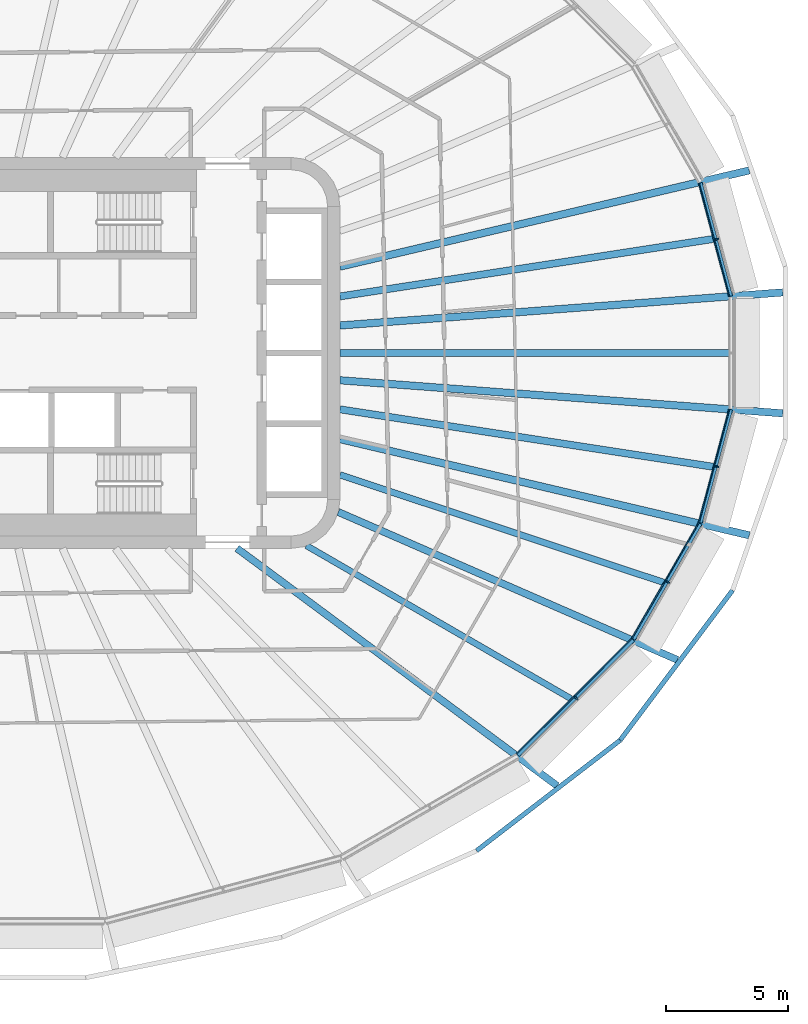
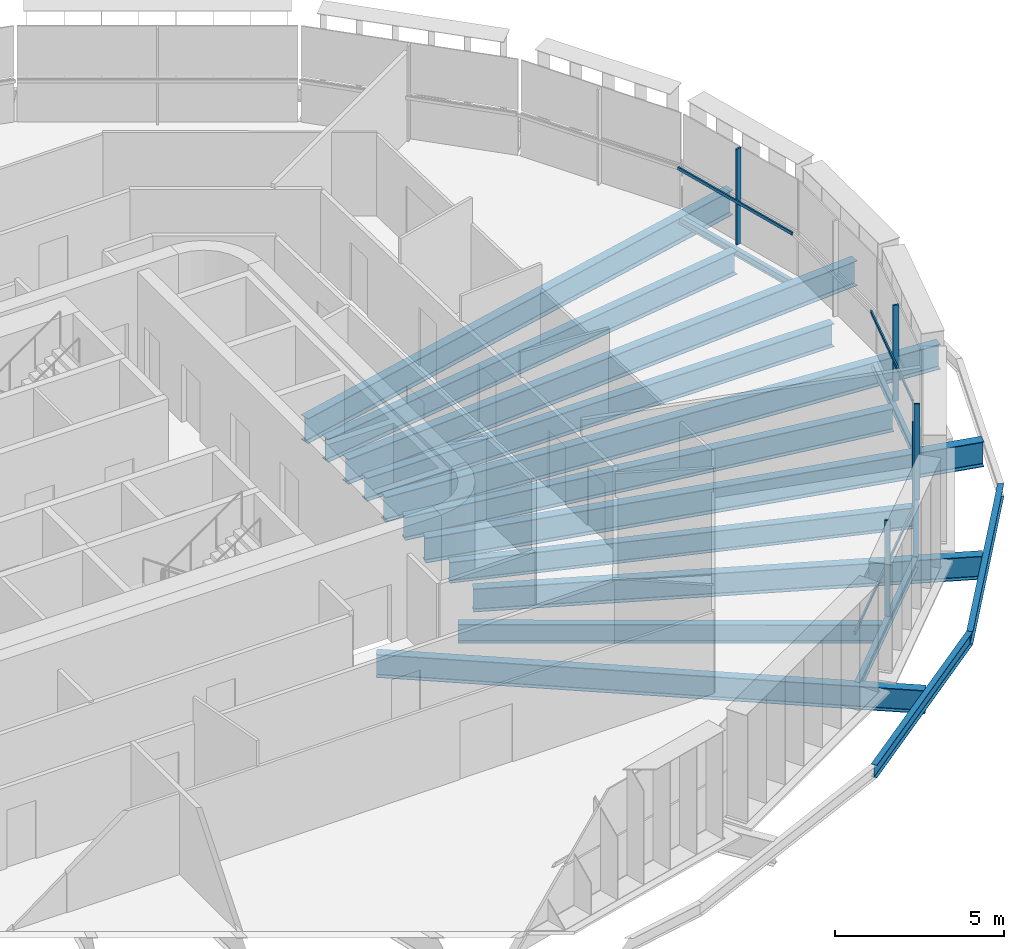
# One storey, part 4 of 23: 17 beams, 8 members, 4 elements without a shape of their own.
"""IFC4 building model written with IfcOpenShell, lengths in metres."""

from ifc_helpers import new_model, si_unit, direction, frame, origin, origin_2d, place, context, subcontext, project, spatial, rectangle, i_section, extrude, material, layer, layer_set, material_profile, profile_set, type_object, element, aggregate, save


model = new_model("IFC4")

# Units and contexts
model_context = context("Model", 3, precision=1e-05, world=origin(), true_north=direction((0.0, 1.0)))
body_context = subcontext(model_context, "Body", "Model", "MODEL_VIEW")
ifc_project = project(units=[si_unit("LENGTHUNIT", "METRE"), si_unit("AREAUNIT", "SQUARE_METRE"), si_unit("VOLUMEUNIT", "CUBIC_METRE"), si_unit("PLANEANGLEUNIT", "RADIAN"), si_unit("MASSUNIT", "GRAM", prefix="KILO")], contexts=[model_context])

# Site, building, storey
site_placement = place(None, origin())
site = spatial("IfcSite", under=ifc_project, at=site_placement, CompositionType="ELEMENT")
building_placement = place(site_placement, origin())
building = spatial("IfcBuilding", under=site, at=building_placement, Name="Sahrelin Media Tower", CompositionType="ELEMENT")
storey_placement = place(building_placement, frame((0.0, 0.0, 173.60009765625)))
storey = spatial("IfcBuildingStorey", under=building, at=storey_placement, Name="L36", CompositionType="ELEMENT", Elevation=173.60009765625)

# Beams
ifc_material_1 = material(Name="Steel S355", Category="steel")
ifc_material_profile_1 = material_profile(ifc_material_1, i_section(OverallWidth=0.14599609375, OverallDepth=0.25146484375, WebThickness=0.006103515625, FlangeThickness=0.008544921875, FilletRadius=0.007568359375, at=origin_2d()), Name="UB 254x146x31")
ifc_profile_set_1 = profile_set([ifc_material_profile_1], Name="Steel S355")
beam_type_1 = type_object("IfcBeamType", Name="Edge beam EB1", PredefinedType="BEAM", material=ifc_profile_set_1)
for number, where, z_axis, x_axis, name in (
    (1, (30.9951171875, -2.3212890625, -0.27587890625), (-0.258792876481, -0.96593283777, 0.0), (0.96593283777, -0.258792876481, 0.0), "Edge beam L36-02"),
    (2, (29.753173828125, 6.956787109375, -0.27587890625), (0.258792876481, -0.96593283777, 0.0), (0.96593283777, 0.258792876481, 0.0), "Edge beam L36-20"),
):
    element("IfcBeam", number, at=place(storey_placement, frame(where, z_axis=z_axis, x_axis=x_axis)), inside=storey, type_object=beam_type_1, Name=name, PredefinedType="BEAM", context=body_context, shape_type="SweptSolid", body=[
        extrude(i_section(OverallWidth=0.14599609375, OverallDepth=0.25146484375, WebThickness=0.006103515625, FlangeThickness=0.008544921875, FilletRadius=0.007568359375, at=origin_2d()), origin(), (0.0, 0.0, 1.0), 4.799072265625),
    ])
ifc_material_profile_2 = material_profile(ifc_material_1, i_section(OverallWidth=0.1650390625, OverallDepth=0.303466796875, WebThickness=0.006103515625, FlangeThickness=0.01025390625, FilletRadius=0.0087890625, at=origin_2d()), Name="UB 305x165x40")
ifc_profile_set_2 = profile_set([ifc_material_profile_2], Name="Steel S355")
beam_type_2 = type_object("IfcBeamType", Name="Edge beam EB2", PredefinedType="BEAM", material=ifc_profile_set_2)
beam_1_placement = place(storey_placement, frame((29.7421875, -6.9833984375, -0.3017578125), z_axis=(-0.500022519152, -0.866012401956, 0.0), x_axis=(0.866012401956, -0.500022519152, 0.0)))
element("IfcBeam", 3, at=beam_1_placement, inside=storey, type_object=beam_type_2, Name="Edge beam L36-03", PredefinedType="BEAM", context=body_context, shape_type="SweptSolid", body=[
    extrude(i_section(OverallWidth=0.1650390625, OverallDepth=0.303466796875, WebThickness=0.006103515625, FlangeThickness=0.01025390625, FilletRadius=0.0087890625, at=origin_2d()), origin(), (0.0, 0.0, 1.0), 5.469970703125),
])
ifc_material_profile_3 = material_profile(ifc_material_1, i_section(OverallWidth=0.17138671875, OverallDepth=0.35498046875, WebThickness=0.00732421875, FlangeThickness=0.011474609375, FilletRadius=0.01025390625, at=origin_2d()), Name="UB 356x171x51")
ifc_profile_set_3 = profile_set([ifc_material_profile_3], Name="Steel S355")
beam_type_3 = type_object("IfcBeamType", Name="Edge beam EB3", PredefinedType="BEAM", material=ifc_profile_set_3)
beam_2_placement = place(storey_placement, frame((26.989501953125, -11.743408203125, -0.32763671875), z_axis=(-0.707106781187, -0.707106781187, 0.0), x_axis=(0.707106781187, -0.707106781187, 0.0)))
element("IfcBeam", 4, at=beam_2_placement, inside=storey, type_object=beam_type_3, Name="Edge beam L36-04", PredefinedType="BEAM", context=body_context, shape_type="SweptSolid", body=[
    extrude(i_section(OverallWidth=0.17138671875, OverallDepth=0.35498046875, WebThickness=0.00732421875, FlangeThickness=0.011474609375, FilletRadius=0.01025390625, at=origin_2d()), origin(), (0.0, 0.0, 1.0), 6.659912109375),
])

# Curtain wall, member
ifc_material_2 = material(Name="Champagne anodised aluminium 6063-T6", Category="aluminium")
ifc_layer = layer(ifc_material_2, 0.14990234375)
ifc_layer_set = layer_set([ifc_layer], Name="Tower ribbon curtain wall")
curtain_wall_type = type_object("IfcCurtainWallType", Name="Tower ribbon curtain wall", PredefinedType="NOTDEFINED", material=ifc_layer_set)
curtain_wall_1_placement = place(storey_placement, frame((30.51904296875, 4.677978515625, 0.0), z_axis=(0.0, 0.0, 1.0), x_axis=(1.0, 0.0, 0.0)))
curtain_wall_1 = element("IfcCurtainWall", 5, at=curtain_wall_1_placement, inside=storey, type_object=curtain_wall_type, Name="L36:CW:L36-01", PredefinedType="NOTDEFINED")
ifc_material_profile_4 = material_profile(ifc_material_2, rectangle(XDim=0.06005859375, YDim=0.175048828125, at=origin_2d()), Name="Mullion 60x175")
ifc_profile_set_4 = profile_set([ifc_material_profile_4], Name="Champagne anodised aluminium 6063-T6")
member_type_1 = type_object("IfcMemberType", Name="Mullion 60x175 CW1B", PredefinedType="MULLION", material=ifc_profile_set_4)
member_1_placement = place(storey_placement, frame((30.415283203125, 4.650146484375, 0.0), z_axis=(0.0, 0.0, 1.0), x_axis=(-0.258820730961, 0.965925374563, 0.0)))
member_1 = element("IfcMember", 6, at=member_1_placement, type_object=member_type_1, Name="L36:CWM:L36-01", PredefinedType="MULLION", context=body_context, shape_type="SweptSolid", body=[
    extrude(rectangle(XDim=0.06005859375, YDim=0.175048828125, at=origin_2d()), origin(), (0.0, 0.0, 1.0), 3.448486328125),
])

curtain_wall_2_placement = place(storey_placement, frame((24.740966796875, -14.2041015625, 0.0), z_axis=(0.0, 0.0, 1.0), x_axis=(1.0, 0.0, 0.0)))
curtain_wall_2 = element("IfcCurtainWall", 7, at=curtain_wall_2_placement, inside=storey, type_object=curtain_wall_type, Name="L36:CW:L36-21", PredefinedType="NOTDEFINED")
member_2_placement = place(storey_placement, frame((24.6650390625, -14.1279296875, 0.0), z_axis=(0.0, 0.0, 1.0), x_axis=(0.707106781187, 0.707106781187, 0.0)))
member_2 = element("IfcMember", 8, at=member_2_placement, type_object=member_type_1, Name="L36:CWM:L36-21", PredefinedType="MULLION", context=body_context, shape_type="SweptSolid", body=[
    extrude(rectangle(XDim=0.06005859375, YDim=0.175048828125, at=origin_2d()), origin(), (0.0, 0.0, 1.0), 3.448486328125),
])

curtain_wall_3_placement = place(storey_placement, frame((28.50439453125, -9.427001953125, 0.0), z_axis=(0.0, 0.0, 1.0), x_axis=(1.0, 0.0, 0.0)))
curtain_wall_3 = element("IfcCurtainWall", 9, at=curtain_wall_3_placement, inside=storey, type_object=curtain_wall_type, Name="L36:CW:L36-22", PredefinedType="NOTDEFINED")
member_3_placement = place(storey_placement, frame((28.411376953125, -9.373291015625, 0.0), z_axis=(0.0, 0.0, 1.0), x_axis=(0.5, 0.866025403784, 0.0)))
member_3 = element("IfcMember", 10, at=member_3_placement, type_object=member_type_1, Name="L36:CWM:L36-22", PredefinedType="MULLION", context=body_context, shape_type="SweptSolid", body=[
    extrude(rectangle(XDim=0.06005859375, YDim=0.175048828125, at=origin_2d()), origin(), (0.0, 0.0, 1.0), 3.448486328125),
])

curtain_wall_4_placement = place(storey_placement, frame((30.51904296875, -4.677978515625, 0.0), z_axis=(0.0, 0.0, 1.0), x_axis=(1.0, 0.0, 0.0)))
curtain_wall_4 = element("IfcCurtainWall", 11, at=curtain_wall_4_placement, inside=storey, type_object=curtain_wall_type, Name="L36:CW:L36-23", PredefinedType="NOTDEFINED")
member_4_placement = place(storey_placement, frame((30.415283203125, -4.650146484375, 0.0), z_axis=(0.0, 0.0, 1.0), x_axis=(0.258820730961, 0.965925374563, 0.0)))
member_4 = element("IfcMember", 12, at=member_4_placement, type_object=member_type_1, Name="L36:CWM:L36-23", PredefinedType="MULLION", context=body_context, shape_type="SweptSolid", body=[
    extrude(rectangle(XDim=0.06005859375, YDim=0.175048828125, at=origin_2d()), origin(), (0.0, 0.0, 1.0), 3.448486328125),
])

# Beams
ifc_material_profile_5 = material_profile(ifc_material_1, i_section(OverallWidth=0.291748046875, OverallDepth=0.8349609375, WebThickness=0.013916015625, FlangeThickness=0.018798828125, FilletRadius=0.017822265625, at=origin_2d()), Name="UB 838x292x176")
ifc_profile_set_5 = profile_set([ifc_material_profile_5], Name="Steel S355")
beam_type_4 = type_object("IfcBeamType", Name="Radial primary beam PB10", PredefinedType="BEAM", material=ifc_profile_set_5)
beam_3_placement = place(storey_placement, frame((10.7880859375, -8.0, -0.567626953125), z_axis=(0.803237803341, -0.595658485446, 0.0), x_axis=(0.595658485446, 0.803237803341, 0.0)))
element("IfcBeam", 13, at=beam_3_placement, inside=storey, type_object=beam_type_4, Name="Radial beam L36-21", PredefinedType="BEAM", context=body_context, shape_type="SweptSolid", body=[
    extrude(i_section(OverallWidth=0.291748046875, OverallDepth=0.8349609375, WebThickness=0.013916015625, FlangeThickness=0.018798828125, FilletRadius=0.017822265625, at=origin_2d()), origin(), (0.0, 0.0, 1.0), 16.309326171875),
])
beam_4_placement = place(storey_placement, frame((14.932861328125, -6.510986328125, -0.567626953125), z_axis=(0.916643258443, -0.399706313124, 0.0), x_axis=(0.399706313124, 0.916643258443, 0.0)))
element("IfcBeam", 14, at=beam_4_placement, inside=storey, type_object=beam_type_4, Name="Radial beam L36-22", PredefinedType="BEAM", context=body_context, shape_type="SweptSolid", body=[
    extrude(i_section(OverallWidth=0.291748046875, OverallDepth=0.8349609375, WebThickness=0.013916015625, FlangeThickness=0.018798828125, FilletRadius=0.017822265625, at=origin_2d()), origin(), (0.0, 0.0, 1.0), 15.142333984375),
])
ifc_material_profile_6 = material_profile(ifc_material_1, i_section(OverallWidth=0.30322265625, OverallDepth=0.903076171875, WebThickness=0.01513671875, FlangeThickness=0.020263671875, FilletRadius=0.01904296875, at=origin_2d()), Name="UB 914x305x201")
ifc_profile_set_6 = profile_set([ifc_material_profile_6], Name="Steel S355")
beam_type_5 = type_object("IfcBeamType", Name="Radial primary beam PB11", PredefinedType="BEAM", material=ifc_profile_set_6)
beam_5_placement = place(storey_placement, frame((15.0, 1.12060546875, -0.6015625), z_axis=(0.997220411317, 0.074508061664, 0.0), x_axis=(-0.074508061664, 0.997220411317, 0.0)))
element("IfcBeam", 15, at=beam_5_placement, inside=storey, type_object=beam_type_5, Name="Radial beam L36-01", PredefinedType="BEAM", context=body_context, shape_type="SweptSolid", body=[
    extrude(i_section(OverallWidth=0.30322265625, OverallDepth=0.903076171875, WebThickness=0.01513671875, FlangeThickness=0.020263671875, FilletRadius=0.01904296875, at=origin_2d()), origin(), (0.0, 0.0, 1.0), 18.172607421875),
])
for number, where, z_axis, x_axis, name in (
    (16, (15.0, 3.52734375, -0.6015625), (0.973446560377, 0.22891438157, 0.0), (-0.22891438157, 0.973446560377, 0.0), "Radial beam L36-02"),
    (17, (15.0, -3.52734375, -0.6015625), (0.973446560377, -0.22891438157, 0.0), (0.22891438157, 0.973446560377, 0.0), "Radial beam L36-23"),
):
    element("IfcBeam", number, at=place(storey_placement, frame(where, z_axis=z_axis, x_axis=x_axis)), inside=storey, type_object=beam_type_5, Name=name, PredefinedType="BEAM", context=body_context, shape_type="SweptSolid", body=[
        extrude(i_section(OverallWidth=0.30322265625, OverallDepth=0.903076171875, WebThickness=0.01513671875, FlangeThickness=0.020263671875, FilletRadius=0.01904296875, at=origin_2d()), origin(), (0.0, 0.0, 1.0), 17.20703125),
    ])
beam_6_placement = place(storey_placement, frame((15.0, -1.12060546875, -0.6015625), z_axis=(0.997220411317, -0.074508061664, 0.0), x_axis=(0.074508061664, 0.997220411317, 0.0)))
element("IfcBeam", 18, at=beam_6_placement, inside=storey, type_object=beam_type_5, Name="Radial beam L36-24", PredefinedType="BEAM", context=body_context, shape_type="SweptSolid", body=[
    extrude(i_section(OverallWidth=0.30322265625, OverallDepth=0.903076171875, WebThickness=0.01513671875, FlangeThickness=0.020263671875, FilletRadius=0.01904296875, at=origin_2d()), origin(), (0.0, 0.0, 1.0), 18.172607421875),
])
ifc_material_profile_7 = material_profile(ifc_material_1, i_section(OverallWidth=0.291748046875, OverallDepth=0.8349609375, WebThickness=0.013916015625, FlangeThickness=0.018798828125, FilletRadius=0.017822265625, at=origin_2d()), Name="UB 838x292x176")
ifc_profile_set_7 = profile_set([ifc_material_profile_7], Name="Steel S355")
beam_type_6 = type_object("IfcBeamType", Name="Radial secondary beam SB10", PredefinedType="BEAM", material=ifc_profile_set_7)
for number, where, z_axis, x_axis, name in (
    (19, (15.0, 2.3095703125, -0.567626953125), (0.988355456355, 0.152162715185, 0.0), (-0.152162715185, 0.988355456355, 0.0), "Secondary beam L36-01"),
    (20, (15.0, -2.3095703125, -0.567626953125), (0.988355456355, -0.152162715185, 0.0), (0.152162715185, 0.988355456355, 0.0), "Secondary beam L36-19"),
):
    element("IfcBeam", number, at=place(storey_placement, frame(where, z_axis=z_axis, x_axis=x_axis)), inside=storey, type_object=beam_type_6, Name=name, PredefinedType="BEAM", context=body_context, shape_type="SweptSolid", body=[
        extrude(i_section(OverallWidth=0.291748046875, OverallDepth=0.8349609375, WebThickness=0.013916015625, FlangeThickness=0.018798828125, FilletRadius=0.017822265625, at=origin_2d()), origin(), (0.0, 0.0, 1.0), 15.471923828125),
    ])
beam_7_placement = place(storey_placement, frame((15.0, 0.0, -0.567626953125), z_axis=(1.0, 0.0, 0.0), x_axis=(0.0, 1.0, 0.0)))
element("IfcBeam", 21, at=beam_7_placement, inside=storey, type_object=beam_type_6, Name="Secondary beam L36-20", PredefinedType="BEAM", context=body_context, shape_type="SweptSolid", body=[
    extrude(i_section(OverallWidth=0.291748046875, OverallDepth=0.8349609375, WebThickness=0.013916015625, FlangeThickness=0.018798828125, FilletRadius=0.017822265625, at=origin_2d()), origin(), (0.0, 0.0, 1.0), 15.92578125),
])
ifc_material_profile_8 = material_profile(ifc_material_1, i_section(OverallWidth=0.2529296875, OverallDepth=0.677978515625, WebThickness=0.01171875, FlangeThickness=0.01611328125, FilletRadius=0.01513671875, at=origin_2d()), Name="UB 686x254x125")
ifc_profile_set_8 = profile_set([ifc_material_profile_8], Name="Steel S355")
beam_type_7 = type_object("IfcBeamType", Name="Radial secondary beam SB8", PredefinedType="BEAM", material=ifc_profile_set_8)
beam_8_placement = place(storey_placement, frame((13.627197265625, -7.886474609375, -0.489013671875), z_axis=(0.865516660441, -0.500880135859, 0.0), x_axis=(0.500880135859, 0.865516660441, 0.0)))
element("IfcBeam", 22, at=beam_8_placement, inside=storey, type_object=beam_type_7, Name="Secondary beam L36-17", PredefinedType="BEAM", context=body_context, shape_type="SweptSolid", body=[
    extrude(i_section(OverallWidth=0.2529296875, OverallDepth=0.677978515625, WebThickness=0.01171875, FlangeThickness=0.01611328125, FilletRadius=0.01513671875, at=origin_2d()), origin(), (0.0, 0.0, 1.0), 12.51318359375),
])
ifc_material_profile_9 = material_profile(ifc_material_1, i_section(OverallWidth=0.26513671875, OverallDepth=0.75390625, WebThickness=0.0126953125, FlangeThickness=0.017578125, FilletRadius=0.0166015625, at=origin_2d()), Name="UB 762x267x147")
ifc_profile_set_9 = profile_set([ifc_material_profile_9], Name="Steel S355")
beam_type_8 = type_object("IfcBeamType", Name="Radial secondary beam SB9", PredefinedType="BEAM", material=ifc_profile_set_9)
beam_9_placement = place(storey_placement, frame((15.0, -4.98876953125, -0.527099609375), z_axis=(0.948901563502, -0.315572214848, 0.0), x_axis=(0.315572214848, 0.948901563502, 0.0)))
element("IfcBeam", 23, at=beam_9_placement, inside=storey, type_object=beam_type_8, Name="Secondary beam L36-18", PredefinedType="BEAM", context=body_context, shape_type="SweptSolid", body=[
    extrude(i_section(OverallWidth=0.26513671875, OverallDepth=0.75390625, WebThickness=0.0126953125, FlangeThickness=0.017578125, FilletRadius=0.0166015625, at=origin_2d()), origin(), (0.0, 0.0, 1.0), 13.96728515625),
])
ifc_material_profile_10 = material_profile(ifc_material_1, i_section(OverallWidth=0.1904296875, OverallDepth=0.45703125, WebThickness=0.009033203125, FlangeThickness=0.014404296875, FilletRadius=0.01025390625, at=origin_2d()), Name="UB 457x191x74")
ifc_profile_set_10 = profile_set([ifc_material_profile_10], Name="Steel S355")
beam_type_9 = type_object("IfcBeamType", Name="Tie chord TC5", PredefinedType="BEAM", material=ifc_profile_set_10)
beam_10_placement = place(storey_placement, frame((20.59375, -20.37109375, -0.378662109375), z_axis=(0.792434124871, 0.609957504864, 0.0), x_axis=(-0.609957504864, 0.792434124871, 0.0)))
element("IfcBeam", 24, at=beam_10_placement, inside=storey, type_object=beam_type_9, Name="Tie chord L36-21", PredefinedType="BEAM", context=body_context, shape_type="SweptSolid", body=[
    extrude(i_section(OverallWidth=0.1904296875, OverallDepth=0.45703125, WebThickness=0.009033203125, FlangeThickness=0.014404296875, FilletRadius=0.01025390625, at=origin_2d()), origin(), (0.0, 0.0, 1.0), 7.410888671875),
])
beam_11_placement = place(storey_placement, frame((26.46630859375, -15.850830078125, -0.378662109375), z_axis=(0.600035657065, 0.79997325596, 0.0), x_axis=(-0.79997325596, 0.600035657065, 0.0)))
element("IfcBeam", 25, at=beam_11_placement, inside=storey, type_object=beam_type_9, Name="Tie chord L36-22", PredefinedType="BEAM", context=body_context, shape_type="SweptSolid", body=[
    extrude(i_section(OverallWidth=0.1904296875, OverallDepth=0.45703125, WebThickness=0.009033203125, FlangeThickness=0.014404296875, FilletRadius=0.01025390625, at=origin_2d()), origin(), (0.0, 0.0, 1.0), 7.66845703125),
])

# Member
ifc_material_profile_11 = material_profile(ifc_material_2, rectangle(XDim=0.050048828125, YDim=0.110107421875, at=origin_2d()), Name="Transom 50x110")
ifc_profile_set_11 = profile_set([ifc_material_profile_11], Name="Champagne anodised aluminium 6063-T6")
member_type_2 = type_object("IfcMemberType", Name="Transom 50x110 CW1B", PredefinedType="USERDEFINED", material=ifc_profile_set_11)
member_5_placement = place(storey_placement, frame((30.923583984375, 2.318603515625, 1.599853515625), z_axis=(-0.258864068635, 0.965913761145, 0.0), x_axis=(-0.965913761145, -0.258864068635, 0.0)))
member_5 = element("IfcMember", 26, at=member_5_placement, type_object=member_type_2, Name="L36:CWT:L36-01", ObjectType="TRANSOM", PredefinedType="USERDEFINED", context=body_context, shape_type="SweptSolid", body=[
    extrude(rectangle(XDim=0.050048828125, YDim=0.110107421875, at=origin_2d()), origin(), (0.0, 0.0, 1.0), 4.767578125),
])

aggregate(curtain_wall_1, [member_1, member_5])

member_6_placement = place(storey_placement, frame((22.241943359375, -16.39208984375, 1.599853515625), z_axis=(0.707088365269, 0.707125196625, 0.0), x_axis=(-0.707125196625, 0.707088365269, 0.0)))
member_6 = element("IfcMember", 27, at=member_6_placement, type_object=member_type_2, Name="L36:CWT:L36-21", ObjectType="TRANSOM", PredefinedType="USERDEFINED", context=body_context, shape_type="SweptSolid", body=[
    extrude(rectangle(XDim=0.050048828125, YDim=0.110107421875, at=origin_2d()), origin(), (0.0, 0.0, 1.0), 6.628662109375),
])

aggregate(curtain_wall_2, [member_2, member_6])

member_7_placement = place(storey_placement, frame((26.954345703125, -11.671875, 1.599853515625), z_axis=(0.499991872758, 0.866030095999, 0.0), x_axis=(-0.866030095999, 0.499991872758, 0.0)))
member_7 = element("IfcMember", 28, at=member_7_placement, type_object=member_type_2, Name="L36:CWT:L36-22", ObjectType="TRANSOM", PredefinedType="USERDEFINED", context=body_context, shape_type="SweptSolid", body=[
    extrude(rectangle(XDim=0.050048828125, YDim=0.110107421875, at=origin_2d()), origin(), (0.0, 0.0, 1.0), 5.4384765625),
])

aggregate(curtain_wall_3, [member_3, member_7])

member_8_placement = place(storey_placement, frame((29.689453125, -6.923583984375, 1.599853515625), z_axis=(0.258864068635, 0.965913761145, 0.0), x_axis=(-0.965913761145, 0.258864068635, 0.0)))
member_8 = element("IfcMember", 29, at=member_8_placement, type_object=member_type_2, Name="L36:CWT:L36-23", ObjectType="TRANSOM", PredefinedType="USERDEFINED", context=body_context, shape_type="SweptSolid", body=[
    extrude(rectangle(XDim=0.050048828125, YDim=0.110107421875, at=origin_2d()), origin(), (0.0, 0.0, 1.0), 4.767578125),
])

aggregate(curtain_wall_4, [member_4, member_8])

save(model, "model.ifc")
